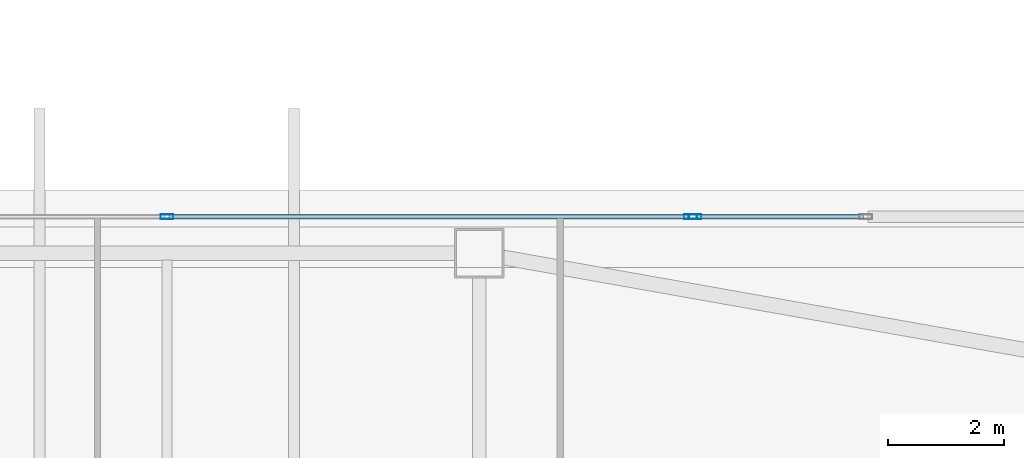
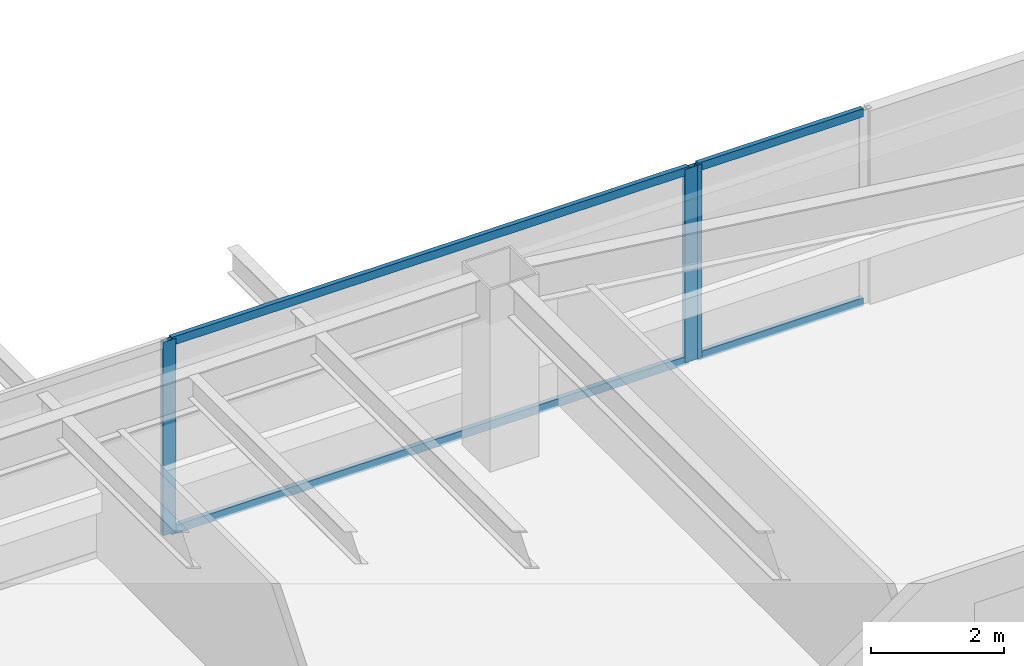
# One storey, part 15 of 44: 7 members, 2 elements without a shape of their own.
"""IFC4 building model written with IfcOpenShell, lengths in metres."""

from ifc_helpers import new_model, si_unit, direction, frame, origin, origin_2d, place, context, subcontext, project, spatial, hollow_rectangle, extrude, material, material_profile, profile_set, type_object, element, aggregate, save


model = new_model("IFC4")

# Units and contexts
model_context = context("Model", 3, precision=1e-05, world=origin(), true_north=direction((0.0, 1.0)))
body_context = subcontext(model_context, "Body", "Model", "MODEL_VIEW")
ifc_project = project(units=[si_unit("LENGTHUNIT", "METRE"), si_unit("AREAUNIT", "SQUARE_METRE"), si_unit("VOLUMEUNIT", "CUBIC_METRE"), si_unit("PLANEANGLEUNIT", "RADIAN"), si_unit("MASSUNIT", "GRAM", prefix="KILO")], contexts=[model_context])

# Site, building, storey
site_placement = place(None, origin())
site = spatial("IfcSite", under=ifc_project, at=site_placement, CompositionType="ELEMENT")
building_placement = place(site_placement, origin())
building = spatial("IfcBuilding", under=site, at=building_placement, Name="Tashvorn Skyway Center", CompositionType="ELEMENT")
storey_placement = place(building_placement, frame((0.0, 0.0, 74.300048828125)))
storey = spatial("IfcBuildingStorey", under=building, at=storey_placement, Name="L19", CompositionType="ELEMENT", Elevation=74.300048828125)

# Curtain wall, members
ifc_material = material(Name="Thermally broken bronze-anodized aluminium 6063-T6", Category="aluminium")
curtain_wall_type = type_object("IfcCurtainWallType", Name="CW-CW-Z2", PredefinedType="NOTDEFINED", material=ifc_material)
curtain_wall_1_placement = place(storey_placement, origin())
curtain_wall_1 = element("IfcCurtainWall", 1, at=curtain_wall_1_placement, inside=storey, type_object=curtain_wall_type, Name="Tower 1 L19 North Unitised Curtain Wall Glazing Group 2", PredefinedType="NOTDEFINED")
ifc_material_profile_1 = material_profile(ifc_material, hollow_rectangle(XDim=0.080078125, YDim=0.219970703125, WallThickness=0.0048828125, at=origin_2d()), Name="ALU-MULL-80x220")
ifc_profile_set_1 = profile_set([ifc_material_profile_1], Name="Thermally broken bronze-anodized aluminium 6063-T6")
member_type_1 = type_object("IfcMemberType", Name="CWM-CW-Z2", PredefinedType="MULLION", material=ifc_profile_set_1)
member_1_placement = place(storey_placement, frame((42.0, 52.97998046875, 0.0), z_axis=(0.0, 0.0, 1.0), x_axis=(0.0, 1.0, 0.0)))
member_1 = element("IfcMember", 2, at=member_1_placement, type_object=member_type_1, Name="CW-Z2 mullion 2", PredefinedType="MULLION", context=body_context, shape_type="SweptSolid", body=[
    extrude(hollow_rectangle(XDim=0.080078125, YDim=0.219970703125, WallThickness=0.0048828125, at=origin_2d()), origin(), (0.0, 0.0, 1.0), 3.550048828125),
])
member_2_placement = place(storey_placement, frame((51.050048828125, 52.97998046875, 0.0), z_axis=(0.0, 0.0, 1.0), x_axis=(0.0, 1.0, 0.0)))
member_2 = element("IfcMember", 3, at=member_2_placement, type_object=member_type_1, Name="CW-Z2 mullion 3", PredefinedType="MULLION", context=body_context, shape_type="SweptSolid", body=[
    extrude(hollow_rectangle(XDim=0.080078125, YDim=0.219970703125, WallThickness=0.0048828125, at=origin_2d()), origin(), (0.0, 0.0, 1.0), 3.550048828125),
])

# Curtain wall, member
curtain_wall_2_placement = place(storey_placement, origin())
curtain_wall_2 = element("IfcCurtainWall", 4, at=curtain_wall_2_placement, inside=storey, type_object=curtain_wall_type, Name="Tower 1 L19 North Unitised Curtain Wall Glazing Group 3", PredefinedType="NOTDEFINED")
member_3_placement = place(storey_placement, frame((51.1298828125, 52.97998046875, 0.0), z_axis=(0.0, 0.0, 1.0), x_axis=(0.0, 1.0, 0.0)))
member_3 = element("IfcMember", 5, at=member_3_placement, type_object=member_type_1, Name="CW-Z2 mullion 1", PredefinedType="MULLION", context=body_context, shape_type="SweptSolid", body=[
    extrude(hollow_rectangle(XDim=0.080078125, YDim=0.219970703125, WallThickness=0.0048828125, at=origin_2d()), origin(), (0.0, 0.0, 1.0), 3.550048828125),
])

# Member
ifc_material_profile_2 = material_profile(ifc_material, hollow_rectangle(XDim=0.080078125, YDim=0.14990234375, WallThickness=0.00439453125, at=origin_2d()), Name="ALU-TRAN-80x150")
ifc_profile_set_2 = profile_set([ifc_material_profile_2], Name="Thermally broken bronze-anodized aluminium 6063-T6")
member_type_2 = type_object("IfcMemberType", Name="CWT-CW-Z2", PredefinedType="USERDEFINED", material=ifc_profile_set_2)
member_4_placement = place(storey_placement, frame((42.0400390625, 52.97998046875, 0.0400390625), z_axis=(1.0, 0.0, 0.0), x_axis=(0.0, 1.0, 0.0)))
member_4 = element("IfcMember", 6, at=member_4_placement, type_object=member_type_2, Name="CW-Z2 transom 2.1", ObjectType="TRANSOM", PredefinedType="USERDEFINED", context=body_context, shape_type="SweptSolid", body=[
    extrude(hollow_rectangle(XDim=0.080078125, YDim=0.14990234375, WallThickness=0.00439453125, at=origin_2d()), origin(), (0.0, 0.0, 1.0), 8.969970703125),
])

member_5_placement = place(storey_placement, frame((42.0400390625, 52.97998046875, 3.510009765625), z_axis=(1.0, 0.0, 0.0), x_axis=(0.0, 1.0, 0.0)))
member_5 = element("IfcMember", 7, at=member_5_placement, type_object=member_type_2, Name="CW-Z2 transom 2.2", ObjectType="TRANSOM", PredefinedType="USERDEFINED", context=body_context, shape_type="SweptSolid", body=[
    extrude(hollow_rectangle(XDim=0.080078125, YDim=0.14990234375, WallThickness=0.00439453125, at=origin_2d()), origin(), (0.0, 0.0, 1.0), 8.969970703125),
])

aggregate(curtain_wall_1, [member_1, member_2, member_4, member_5])

member_6_placement = place(storey_placement, frame((51.169921875, 52.97998046875, 0.0400390625), z_axis=(1.0, 0.0, 0.0), x_axis=(0.0, 1.0, 0.0)))
member_6 = element("IfcMember", 8, at=member_6_placement, type_object=member_type_2, Name="CW-Z2 transom 1.1", ObjectType="TRANSOM", PredefinedType="USERDEFINED", context=body_context, shape_type="SweptSolid", body=[
    extrude(hollow_rectangle(XDim=0.080078125, YDim=0.14990234375, WallThickness=0.00439453125, at=origin_2d()), origin(), (0.0, 0.0, 1.0), 2.8701171875),
])

member_7_placement = place(storey_placement, frame((51.169921875, 52.97998046875, 3.510009765625), z_axis=(1.0, 0.0, 0.0), x_axis=(0.0, 1.0, 0.0)))
member_7 = element("IfcMember", 9, at=member_7_placement, type_object=member_type_2, Name="CW-Z2 transom 1.2", ObjectType="TRANSOM", PredefinedType="USERDEFINED", context=body_context, shape_type="SweptSolid", body=[
    extrude(hollow_rectangle(XDim=0.080078125, YDim=0.14990234375, WallThickness=0.00439453125, at=origin_2d()), origin(), (0.0, 0.0, 1.0), 2.8701171875),
])

aggregate(curtain_wall_2, [member_3, member_6, member_7])

save(model, "model.ifc")
